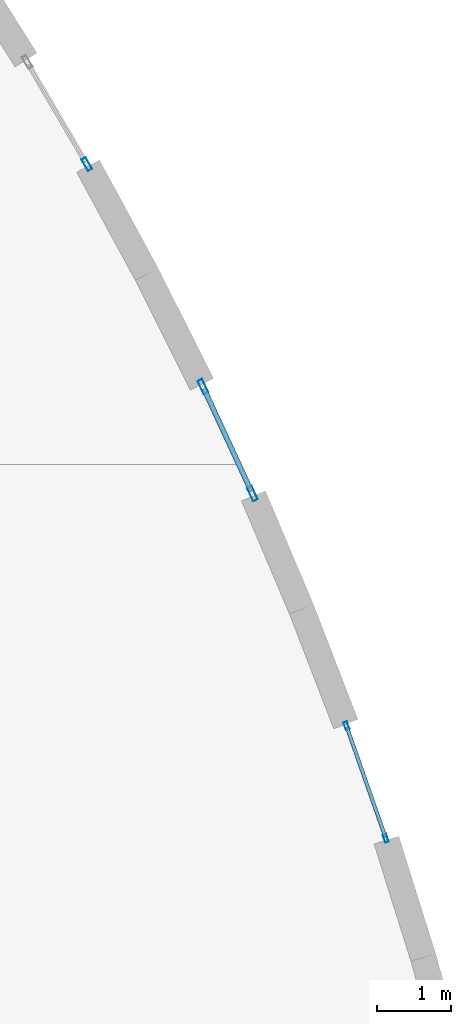
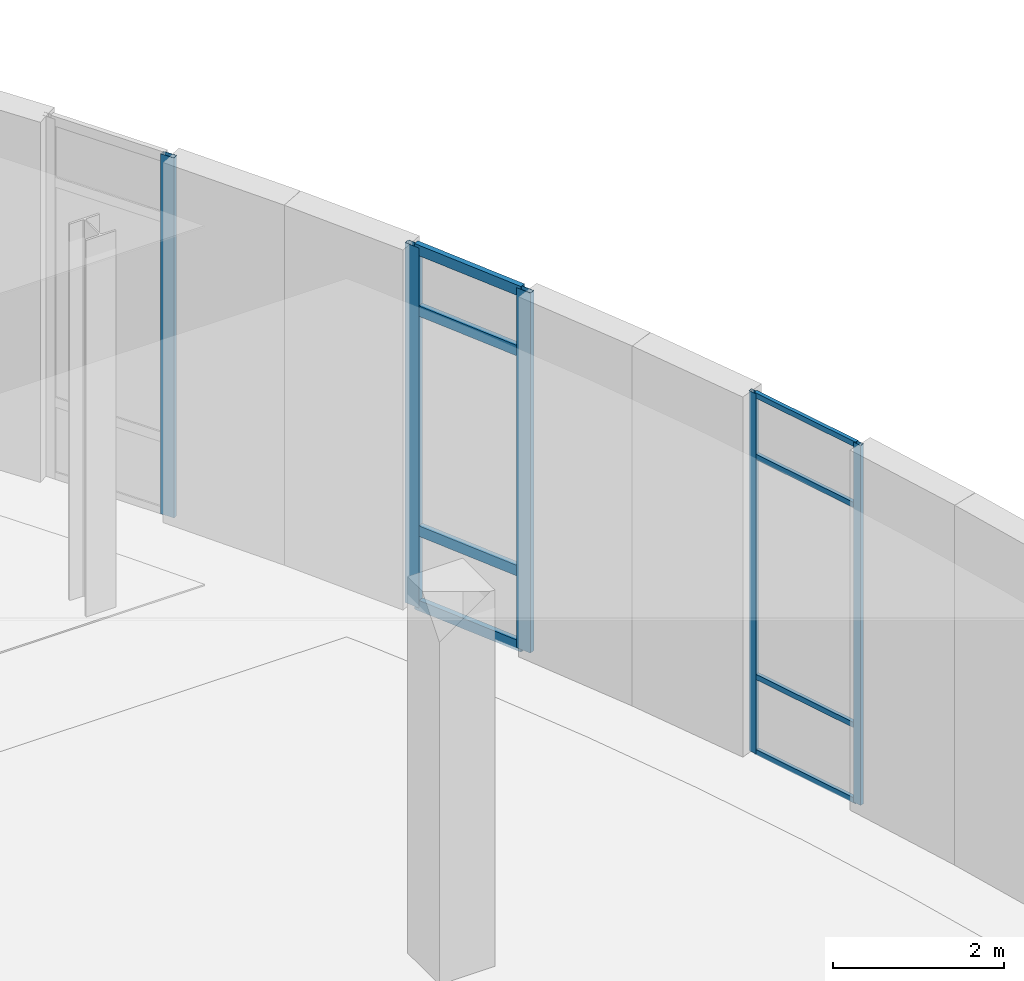
# One storey, part 50 of 110: 13 members, 3 elements without a shape of their own.
"""IFC4 building model written with IfcOpenShell, lengths in metres."""

import ifcopenshell
import ifcopenshell.guid

model = None  # the IFC model being written
_history = None  # IfcOwnerHistory: only IFC2X3 demands one
_inside = {}  # id of a spatial element -> (the spatial element, [elements in it])
_under = {}  # id of a project, library or spatial element -> (it, [spatial elements below it])
_declared = {}  # id of a project -> (the project, [libraries it declares])
_typed = {}  # id of a type object -> (the type object, [elements of that type])
_made_of = {}  # id of a material, layer set ... -> (it, [elements and type objects made of it])


def new_model(schema):
    """Start an empty IFC model of exactly this schema.

    Asked for "IFC4X3", IfcOpenShell would pick the latest addendum, in which some entities
    have other attributes; the version numbers below select the first issue.
    IFC2X3 requires an IfcOwnerHistory on every rooted entity: one is made here for all.
    """
    global model, _history
    if schema == "IFC4X3":
        model = ifcopenshell.file(schema_version=(4, 3, 0, 0))
    else:
        model = ifcopenshell.file(schema=schema)
    _inside.clear()
    _under.clear()
    _declared.clear()
    _typed.clear()
    _made_of.clear()
    _history = None
    if model.schema == "IFC2X3":
        org = make("IfcOrganization", Name="unknown")
        user = make(
            "IfcPersonAndOrganization",
            ThePerson=make("IfcPerson", FamilyName="unknown"),
            TheOrganization=org,
        )
        app = make(
            "IfcApplication",
            ApplicationDeveloper=org,
            Version="unknown",
            ApplicationFullName="unknown",
            ApplicationIdentifier="unknown",
        )
        _history = make(
            "IfcOwnerHistory",
            OwningUser=user,
            OwningApplication=app,
            ChangeAction="ADDED",
            CreationDate=0,
        )
    return model


def make(cls, **values):
    """One entity of the class cls with the attributes given. An attribute that is None is left unset."""
    return model.create_entity(
        cls, **{name: value for name, value in values.items() if value is not None}
    )


def rooted(cls, **values):
    """An entity with a GlobalId (a new one), such as an element, a storey or a relation."""
    return make(cls, GlobalId=ifcopenshell.guid.new(), OwnerHistory=_history, **values)


def si_unit(unit_type, name, prefix=None):
    """IfcSIUnit, for example si_unit("LENGTHUNIT", "METRE", prefix="MILLI")."""
    return make("IfcSIUnit", UnitType=unit_type, Prefix=prefix, Name=name)


def assignment(units):
    """IfcUnitAssignment: the units of a project."""
    return None if units is None else make("IfcUnitAssignment", Units=units)


def point(xyz):
    """IfcCartesianPoint."""
    return None if xyz is None else make("IfcCartesianPoint", Coordinates=xyz)


def direction(xyz):
    """IfcDirection."""
    return None if xyz is None else make("IfcDirection", DirectionRatios=xyz)


def frame(location, z_axis=None, x_axis=None):
    """IfcAxis2Placement3D, a coordinate frame: its origin and axes. An axis left out is left unset."""
    return make(
        "IfcAxis2Placement3D",
        Location=point(location),
        Axis=direction(z_axis),
        RefDirection=direction(x_axis),
    )


def frame_2d(location, x_axis=None):
    """IfcAxis2Placement2D, a coordinate frame in the plane: its origin and x axis."""
    return make(
        "IfcAxis2Placement2D", Location=point(location), RefDirection=direction(x_axis)
    )


def origin():
    """The frame at (0, 0, 0) with its axes left unset."""
    return frame((0.0, 0.0, 0.0))


def origin_2d():
    """The frame at (0, 0) in the plane with its x axis left unset."""
    return frame_2d((0.0, 0.0))


def place(relative_to, where):
    """IfcLocalPlacement: puts the frame where relative to a parent placement (None: the world)."""
    return make(
        "IfcLocalPlacement", PlacementRelTo=relative_to, RelativePlacement=where
    )


def context(
    kind, dimensions, precision=None, world=None, true_north=None, identifier=None
):
    """IfcGeometricRepresentationContext, for example the 3D "Model" context."""
    return make(
        "IfcGeometricRepresentationContext",
        ContextIdentifier=identifier,
        ContextType=kind,
        CoordinateSpaceDimension=dimensions,
        Precision=precision,
        WorldCoordinateSystem=world,
        TrueNorth=true_north,
    )


def subcontext(parent, identifier, kind, view, scale=None):
    """IfcGeometricRepresentationSubContext, for example "Body" below "Model"."""
    return make(
        "IfcGeometricRepresentationSubContext",
        ContextIdentifier=identifier,
        ContextType=kind,
        ParentContext=parent,
        TargetScale=scale,
        TargetView=view,
    )


def project(units=None, contexts=None):
    """IfcProject with its units and contexts."""
    return rooted(
        "IfcProject",
        Name="project",
        RepresentationContexts=contexts,
        UnitsInContext=assignment(units),
    )


def spatial(cls, under=None, at=None, **own):
    """A site, building, storey or space (cls), placed at a placement, below another one or the project."""
    s = rooted(cls, ObjectPlacement=at, **own)
    if under is not None:
        _under.setdefault(under.id(), (under, []))[1].append(s)
    return s


def profile(cls, at=None, kind="AREA", **sizes):
    """A parametric profile (cls). Its sizes go by their IFC names, for example OverallWidth=200.0."""
    return make(cls, ProfileType=kind, Position=at, **sizes)


def hollow_rectangle(**sizes):
    """IfcRectangleHollowProfileDef."""
    return profile("IfcRectangleHollowProfileDef", **sizes)


def extrude(swept, where, along, depth):
    """IfcExtrudedAreaSolid: the profile swept, set in the frame where, extruded along a direction by depth."""
    return make(
        "IfcExtrudedAreaSolid",
        SweptArea=swept,
        Position=where,
        ExtrudedDirection=direction(along),
        Depth=depth,
    )


def shape(context_of_items, identifier, shape_type, items):
    """IfcShapeRepresentation: the items that make up one representation, for example the "Body"."""
    return make(
        "IfcShapeRepresentation",
        ContextOfItems=context_of_items,
        RepresentationIdentifier=identifier,
        RepresentationType=shape_type,
        Items=items,
    )


def material(Name=None, Category=None):
    """IfcMaterial."""
    return make("IfcMaterial", Name=Name, Category=Category)


def layer(
    of_material, thickness, ventilated=None, Name=None, Category=None, Priority=None
):
    """IfcMaterialLayer: one layer of a wall or slab, of a material (None: an air gap)."""
    return make(
        "IfcMaterialLayer",
        Material=of_material,
        LayerThickness=thickness,
        IsVentilated=ventilated,
        Name=Name,
        Category=Category,
        Priority=Priority,
    )


def layer_set(layers, Name=None):
    """IfcMaterialLayerSet."""
    return make("IfcMaterialLayerSet", MaterialLayers=layers, LayerSetName=Name)


def material_profile(
    of_material, cross_section, Name=None, Category=None, Priority=None
):
    """IfcMaterialProfile: a cross section and its material."""
    return make(
        "IfcMaterialProfile",
        Name=Name,
        Material=of_material,
        Profile=cross_section,
        Priority=Priority,
        Category=Category,
    )


def profile_set(profiles, Name=None, composite=None):
    """IfcMaterialProfileSet."""
    return make(
        "IfcMaterialProfileSet",
        Name=Name,
        MaterialProfiles=profiles,
        CompositeProfile=composite,
    )


def made_of(thing, what):
    """Note that an element or type object is made of a material, layer set ...; save() writes the relation."""
    if what is not None:
        _made_of.setdefault(what.id(), (what, []))[1].append(thing)
    return thing


def type_object(cls, material=None, **own):
    """A type object (cls), such as IfcWallType, which elements share."""
    return made_of(rooted(cls, **own), material)


def element(
    cls,
    number,
    at=None,
    inside=None,
    cuts=None,
    type_object=None,
    material=None,
    context=None,
    identifier="Body",
    shape_type=None,
    held_by="IfcProductDefinitionShape",
    body=None,
    shapes=None,
    **own,
):
    """One element of the class cls, such as IfcWall. Its Tag is "e" and its number.

    at: its placement. inside: the storey or other place that contains it. cuts: it is an
    opening in that element (IfcRelVoidsElement). A single representation is given by context,
    identifier, shape_type and body (its items); several are given by shapes. held_by: the class
    of the entity that holds the representations. save() writes the other relations.
    """
    e = rooted(cls, Tag="e%d" % number, ObjectPlacement=at, **own)
    if body is not None:
        shapes = [shape(context, identifier, shape_type, body)]
    if shapes is not None:
        e.Representation = make(held_by, Representations=shapes)
    if inside is not None:
        _inside.setdefault(inside.id(), (inside, []))[1].append(e)
    if cuts is not None:
        rooted(
            "IfcRelVoidsElement", RelatingBuildingElement=cuts, RelatedOpeningElement=e
        )
    if type_object is not None:
        _typed.setdefault(type_object.id(), (type_object, []))[1].append(e)
    return made_of(e, material)


def aggregate(whole, parts):
    """IfcRelAggregates: a whole, such as a stair, and the parts it consists of."""
    return rooted("IfcRelAggregates", RelatingObject=whole, RelatedObjects=parts)


def save(model, path):
    """Write the relations noted so far, then the file.

    IfcRelAggregates (storeys below a building ...), IfcRelContainedInSpatialStructure (elements
    in a storey), IfcRelDefinesByType, IfcRelAssociatesMaterial and IfcRelDeclares: one each for
    every whole, place, type object, material and project.
    """
    for whole, parts in _under.values():
        aggregate(whole, parts)
    for where, things in _inside.values():
        rooted(
            "IfcRelContainedInSpatialStructure",
            RelatedElements=things,
            RelatingStructure=where,
        )
    for kind, things in _typed.values():
        rooted("IfcRelDefinesByType", RelatedObjects=things, RelatingType=kind)
    for what, things in _made_of.values():
        rooted("IfcRelAssociatesMaterial", RelatedObjects=things, RelatingMaterial=what)
    for by, libraries in _declared.values():
        rooted("IfcRelDeclares", RelatingContext=by, RelatedDefinitions=libraries)
    model.write(path)


model = new_model("IFC4")

# Units and contexts
model_context = context("Model", 3, precision=1e-05, world=origin(), true_north=direction((0.0, 1.0)))
body_context = subcontext(model_context, "Body", "Model", "MODEL_VIEW")
ifc_project = project(units=[si_unit("LENGTHUNIT", "METRE"), si_unit("AREAUNIT", "SQUARE_METRE"), si_unit("VOLUMEUNIT", "CUBIC_METRE"), si_unit("PLANEANGLEUNIT", "RADIAN"), si_unit("MASSUNIT", "GRAM", prefix="KILO"), si_unit("THERMODYNAMICTEMPERATUREUNIT", "KELVIN")], contexts=[model_context])

# Site, building, storey
site_placement = place(None, origin())
site = spatial("IfcSite", under=ifc_project, at=site_placement, CompositionType="ELEMENT")
building_placement = place(site_placement, origin())
building = spatial("IfcBuilding", under=site, at=building_placement, Name="Lustrewick Department Store", CompositionType="ELEMENT")
storey_placement = place(building_placement, frame((0.0, 0.0, 6.0)))
storey = spatial("IfcBuildingStorey", under=building, at=storey_placement, Name="L02", CompositionType="ELEMENT", Elevation=6.0)

# Curtain wall, members
ifc_material = material(Name="Thermally broken aluminium 6063-T5", Category="aluminium")
ifc_layer_1 = layer(ifc_material, 0.110107421875, Name="Thermally broken aluminium 6063-T5")
ifc_layer_set_1 = layer_set([ifc_layer_1], Name="Thermally broken aluminium 6063-T5")
curtain_wall_type_1 = type_object("IfcCurtainWallType", Name="CW09", PredefinedType="NOTDEFINED", material=ifc_layer_set_1)
curtain_wall_1_placement = place(storey_placement, origin())
curtain_wall_1 = element("IfcCurtainWall", 1, at=curtain_wall_1_placement, inside=storey, type_object=curtain_wall_type_1, Name="L02 V4 Curtain Wall CW09", PredefinedType="NOTDEFINED")
ifc_material_profile_1 = material_profile(ifc_material, hollow_rectangle(XDim=0.050048828125, YDim=0.110107421875, WallThickness=0.0029296875, at=origin_2d()), Name="ALU-M 50x110x3")
ifc_profile_set_1 = profile_set([ifc_material_profile_1], Name="Thermally broken aluminium 6063-T5")
member_type_1 = type_object("IfcMemberType", Name="CW09-M1", PredefinedType="MULLION", material=ifc_profile_set_1)
member_1_placement = place(storey_placement, frame((165.342529296875, 76.00927734375, 0.0), z_axis=(0.0, 0.0, 1.0), x_axis=(-0.943893891059, -0.330248879516, 0.0)))
member_1 = element("IfcMember", 2, at=member_1_placement, type_object=member_type_1, Name="CW09 mullion 1", PredefinedType="MULLION", context=body_context, shape_type="SweptSolid", body=[
    extrude(hollow_rectangle(XDim=0.050048828125, YDim=0.110107421875, WallThickness=0.0029296875, at=origin_2d()), origin(), (0.0, 0.0, 1.0), 5.14501953125),
])
member_2_placement = place(storey_placement, frame((164.80859375, 77.535400390625, 0.0), z_axis=(0.0, 0.0, 1.0), x_axis=(-0.943893891059, -0.330248879516, 0.0)))
member_2 = element("IfcMember", 3, at=member_2_placement, type_object=member_type_1, Name="CW09 mullion 2", PredefinedType="MULLION", context=body_context, shape_type="SweptSolid", body=[
    extrude(hollow_rectangle(XDim=0.050048828125, YDim=0.110107421875, WallThickness=0.0029296875, at=origin_2d()), origin(), (0.0, 0.0, 1.0), 5.14501953125),
])
ifc_material_profile_2 = material_profile(ifc_material, hollow_rectangle(XDim=0.050048828125, YDim=0.074951171875, WallThickness=0.0029296875, at=origin_2d()), Name="ALU-T 50x75x3")
ifc_profile_set_2 = profile_set([ifc_material_profile_2], Name="Thermally broken aluminium 6063-T5")
member_type_2 = type_object("IfcMemberType", Name="CW09-T1", PredefinedType="USERDEFINED", material=ifc_profile_set_2)
member_3_placement = place(storey_placement, frame((165.33447265625, 76.03271484375, 0.02490234375), z_axis=(-0.330308783597, 0.943872929731, 0.0), x_axis=(-0.943872929731, -0.330308783597, 0.0)))
member_3 = element("IfcMember", 4, at=member_3_placement, type_object=member_type_2, Name="CW09 transom 1.1", ObjectType="TRANSOM", PredefinedType="USERDEFINED", context=body_context, shape_type="SweptSolid", body=[
    extrude(hollow_rectangle(XDim=0.050048828125, YDim=0.074951171875, WallThickness=0.0029296875, at=origin_2d()), origin(), (0.0, 0.0, 1.0), 1.56689453125),
])
member_4_placement = place(storey_placement, frame((165.33447265625, 76.03271484375, 1.10009765625), z_axis=(-0.330308783597, 0.943872929731, 0.0), x_axis=(-0.943872929731, -0.330308783597, 0.0)))
member_4 = element("IfcMember", 5, at=member_4_placement, type_object=member_type_2, Name="CW09 transom 1.2", ObjectType="TRANSOM", PredefinedType="USERDEFINED", context=body_context, shape_type="SweptSolid", body=[
    extrude(hollow_rectangle(XDim=0.050048828125, YDim=0.074951171875, WallThickness=0.0029296875, at=origin_2d()), origin(), (0.0, 0.0, 1.0), 1.56689453125),
])
member_5_placement = place(storey_placement, frame((165.33447265625, 76.03271484375, 4.2451171875), z_axis=(-0.330308783597, 0.943872929731, 0.0), x_axis=(-0.943872929731, -0.330308783597, 0.0)))
member_5 = element("IfcMember", 6, at=member_5_placement, type_object=member_type_2, Name="CW09 transom 1.3", ObjectType="TRANSOM", PredefinedType="USERDEFINED", context=body_context, shape_type="SweptSolid", body=[
    extrude(hollow_rectangle(XDim=0.050048828125, YDim=0.074951171875, WallThickness=0.0029296875, at=origin_2d()), origin(), (0.0, 0.0, 1.0), 1.56689453125),
])
member_6_placement = place(storey_placement, frame((165.33447265625, 76.03271484375, 5.1201171875), z_axis=(-0.330308783597, 0.943872929731, 0.0), x_axis=(-0.943872929731, -0.330308783597, 0.0)))
member_6 = element("IfcMember", 7, at=member_6_placement, type_object=member_type_2, Name="CW09 transom 1.4", ObjectType="TRANSOM", PredefinedType="USERDEFINED", context=body_context, shape_type="SweptSolid", body=[
    extrude(hollow_rectangle(XDim=0.050048828125, YDim=0.074951171875, WallThickness=0.0029296875, at=origin_2d()), origin(), (0.0, 0.0, 1.0), 1.56689453125),
])
aggregate(curtain_wall_1, [member_1, member_2, member_3, member_4, member_5, member_6])

ifc_layer_2 = layer(ifc_material, 0.199951171875, Name="Thermally broken aluminium 6063-T5")
ifc_layer_set_2 = layer_set([ifc_layer_2], Name="Thermally broken aluminium 6063-T5")
curtain_wall_type_2 = type_object("IfcCurtainWallType", Name="CW10", PredefinedType="NOTDEFINED", material=ifc_layer_set_2)
curtain_wall_2_placement = place(storey_placement, origin())
curtain_wall_2 = element("IfcCurtainWall", 8, at=curtain_wall_2_placement, inside=storey, type_object=curtain_wall_type_2, Name="L02 V4 Curtain Wall CW10", PredefinedType="NOTDEFINED")
ifc_material_profile_3 = material_profile(ifc_material, hollow_rectangle(XDim=0.070068359375, YDim=0.199951171875, WallThickness=0.00390625, at=origin_2d()), Name="ALU-M 70x200x4")
ifc_profile_set_3 = profile_set([ifc_material_profile_3], Name="Thermally broken aluminium 6063-T5")
member_type_3 = type_object("IfcMemberType", Name="CW10-M1", PredefinedType="MULLION", material=ifc_profile_set_3)
member_7_placement = place(storey_placement, frame((163.534912109375, 80.680419921875, 0.0), z_axis=(0.0, 0.0, 1.0), x_axis=(-0.907810086565, -0.419381504995, 0.0)))
member_7 = element("IfcMember", 9, at=member_7_placement, type_object=member_type_3, Name="CW10 mullion 1", PredefinedType="MULLION", context=body_context, shape_type="SweptSolid", body=[
    extrude(hollow_rectangle(XDim=0.070068359375, YDim=0.199951171875, WallThickness=0.00390625, at=origin_2d()), origin(), (0.0, 0.0, 1.0), 5.14501953125),
])
member_8_placement = place(storey_placement, frame((162.864990234375, 82.130126953125, 0.0), z_axis=(0.0, 0.0, 1.0), x_axis=(-0.907810086565, -0.419381504995, 0.0)))
member_8 = element("IfcMember", 10, at=member_8_placement, type_object=member_type_3, Name="CW10 mullion 2", PredefinedType="MULLION", context=body_context, shape_type="SweptSolid", body=[
    extrude(hollow_rectangle(XDim=0.070068359375, YDim=0.199951171875, WallThickness=0.00390625, at=origin_2d()), origin(), (0.0, 0.0, 1.0), 5.14501953125),
])
ifc_material_profile_4 = material_profile(ifc_material, hollow_rectangle(XDim=0.070068359375, YDim=0.14990234375, WallThickness=0.00390625, at=origin_2d()), Name="ALU-T 70x150x4")
ifc_profile_set_4 = profile_set([ifc_material_profile_4], Name="Thermally broken aluminium 6063-T5")
member_type_4 = type_object("IfcMemberType", Name="CW10-T1", PredefinedType="USERDEFINED", material=ifc_profile_set_4)
member_9_placement = place(storey_placement, frame((163.520263671875, 80.712158203125, 0.034912109375), z_axis=(-0.419504208845, 0.907753390939, 0.0), x_axis=(-0.907753390939, -0.419504208845, 0.0)))
member_9 = element("IfcMember", 11, at=member_9_placement, type_object=member_type_4, Name="CW10 transom 1.1", ObjectType="TRANSOM", PredefinedType="USERDEFINED", context=body_context, shape_type="SweptSolid", body=[
    extrude(hollow_rectangle(XDim=0.070068359375, YDim=0.14990234375, WallThickness=0.00390625, at=origin_2d()), origin(), (0.0, 0.0, 1.0), 1.527099609375),
])
member_10_placement = place(storey_placement, frame((163.520263671875, 80.712158203125, 1.10009765625), z_axis=(-0.419504208845, 0.907753390939, 0.0), x_axis=(-0.907753390939, -0.419504208845, 0.0)))
member_10 = element("IfcMember", 12, at=member_10_placement, type_object=member_type_4, Name="CW10 transom 1.2", ObjectType="TRANSOM", PredefinedType="USERDEFINED", context=body_context, shape_type="SweptSolid", body=[
    extrude(hollow_rectangle(XDim=0.070068359375, YDim=0.14990234375, WallThickness=0.00390625, at=origin_2d()), origin(), (0.0, 0.0, 1.0), 1.527099609375),
])
member_11_placement = place(storey_placement, frame((163.520263671875, 80.712158203125, 4.2451171875), z_axis=(-0.419504208845, 0.907753390939, 0.0), x_axis=(-0.907753390939, -0.419504208845, 0.0)))
member_11 = element("IfcMember", 13, at=member_11_placement, type_object=member_type_4, Name="CW10 transom 1.3", ObjectType="TRANSOM", PredefinedType="USERDEFINED", context=body_context, shape_type="SweptSolid", body=[
    extrude(hollow_rectangle(XDim=0.070068359375, YDim=0.14990234375, WallThickness=0.00390625, at=origin_2d()), origin(), (0.0, 0.0, 1.0), 1.527099609375),
])
member_12_placement = place(storey_placement, frame((163.520263671875, 80.712158203125, 5.110107421875), z_axis=(-0.419504208845, 0.907753390939, 0.0), x_axis=(-0.907753390939, -0.419504208845, 0.0)))
member_12 = element("IfcMember", 14, at=member_12_placement, type_object=member_type_4, Name="CW10 transom 1.4", ObjectType="TRANSOM", PredefinedType="USERDEFINED", context=body_context, shape_type="SweptSolid", body=[
    extrude(hollow_rectangle(XDim=0.070068359375, YDim=0.14990234375, WallThickness=0.00390625, at=origin_2d()), origin(), (0.0, 0.0, 1.0), 1.527099609375),
])
aggregate(curtain_wall_2, [member_7, member_8, member_9, member_10, member_11, member_12])

# Curtain wall, member
ifc_layer_3 = layer(ifc_material, 0.179931640625, Name="Thermally broken aluminium 6063-T5")
ifc_layer_set_3 = layer_set([ifc_layer_3], Name="Thermally broken aluminium 6063-T5")
curtain_wall_type_3 = type_object("IfcCurtainWallType", Name="CW11", PredefinedType="NOTDEFINED", material=ifc_layer_set_3)
curtain_wall_3_placement = place(storey_placement, origin())
curtain_wall_3 = element("IfcCurtainWall", 15, at=curtain_wall_3_placement, inside=storey, type_object=curtain_wall_type_3, Name="L02 V4 Curtain Wall CW11", PredefinedType="NOTDEFINED")
ifc_material_profile_5 = material_profile(ifc_material, hollow_rectangle(XDim=0.06494140625, YDim=0.179931640625, WallThickness=0.00390625, at=origin_2d()), Name="ALU-M 65x180x4")
ifc_profile_set_5 = profile_set([ifc_material_profile_5], Name="Thermally broken aluminium 6063-T5")
member_type_5 = type_object("IfcMemberType", Name="CW11-M1", PredefinedType="MULLION", material=ifc_profile_set_5)
member_13_placement = place(storey_placement, frame((161.292236328125, 85.145263671875, 0.0), z_axis=(0.0, 0.0, 1.0), x_axis=(-0.86332815827, -0.504642934299, 0.0)))
member_13 = element("IfcMember", 16, at=member_13_placement, type_object=member_type_5, Name="CW11 mullion 1", PredefinedType="MULLION", context=body_context, shape_type="SweptSolid", body=[
    extrude(hollow_rectangle(XDim=0.06494140625, YDim=0.179931640625, WallThickness=0.00390625, at=origin_2d()), origin(), (0.0, 0.0, 1.0), 5.14501953125),
])
aggregate(curtain_wall_3, [member_13])

save(model, "model.ifc")
